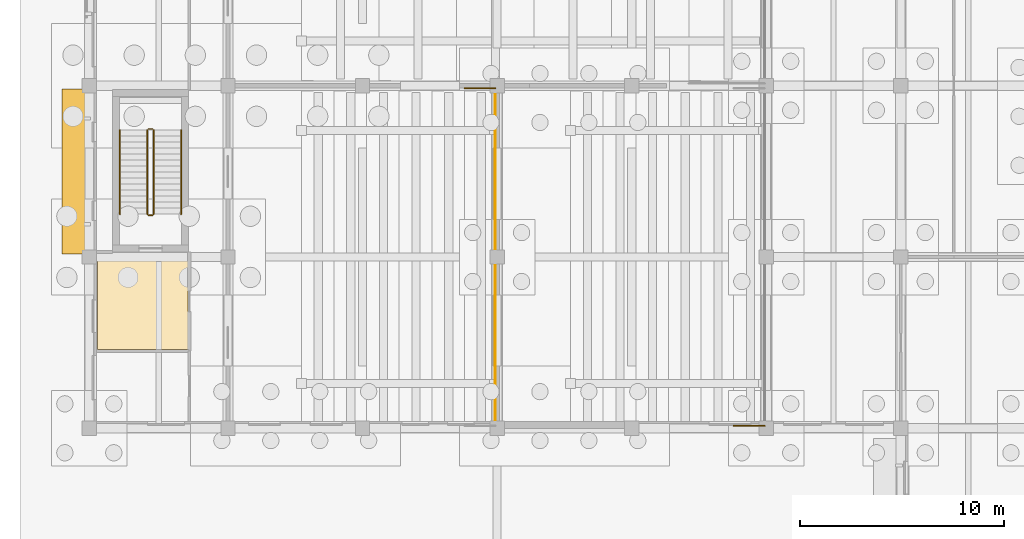
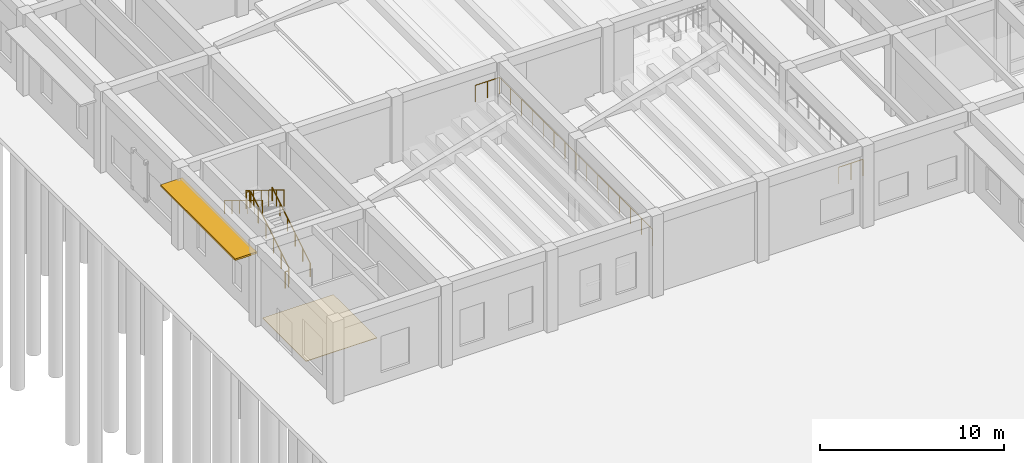
# One storey, part 75 of 82: 9 railings, 1 covering, 1 shading device.
"""IFC4 building model written with IfcOpenShell, lengths in metres."""

from ifc_helpers import new_model, si_unit, direction, frame, origin, origin_2d, place, context, subcontext, project, spatial, polyline, rectangle, circle, outline, extrude, material, layer, layer_set, type_object, element, save


model = new_model("IFC4")

# Units and contexts
model_context = context("Model", 3, precision=1e-05, world=origin(), true_north=direction((0.0, 1.0)))
body_context = subcontext(model_context, "Body", "Model", "MODEL_VIEW")
ifc_project = project(units=[si_unit("LENGTHUNIT", "METRE"), si_unit("AREAUNIT", "SQUARE_METRE"), si_unit("VOLUMEUNIT", "CUBIC_METRE"), si_unit("PLANEANGLEUNIT", "RADIAN"), si_unit("MASSUNIT", "GRAM", prefix="KILO")], contexts=[model_context])

# Site, building, storey
site_placement = place(None, origin())
site = spatial("IfcSite", under=ifc_project, at=site_placement, CompositionType="ELEMENT")
building_placement = place(site_placement, origin())
building = spatial("IfcBuilding", under=site, at=building_placement, Name="Kolvaren Faculty of Natural Sciences", CompositionType="ELEMENT")
storey_placement = place(building_placement, origin())
storey = spatial("IfcBuildingStorey", under=building, at=storey_placement, Name="L00", CompositionType="ELEMENT", Elevation=0.0)

# Shading device
ifc_material_1 = material(Name="Precast concrete C35/45", Category="concrete")
ifc_layer_1 = layer(ifc_material_1, 0.1201171875)
ifc_layer_set_1 = layer_set([ifc_layer_1], Name="Precast concrete C35/45")
shading_device_type = type_object("IfcShadingDeviceType", Name="ChhajjaSolarHood_1350", PredefinedType="AWNING", material=ifc_layer_set_1)
shading_device_placement = place(storey_placement, frame((-0.655029296875, 88.39990234375, 4.44482421875), z_axis=(0.0, 0.0, 1.0), x_axis=(0.0, 1.0, 0.0)))
element("IfcShadingDevice", 1, at=shading_device_placement, inside=storey, type_object=shading_device_type, Name="L00 precast sandstone chhajja solar hood 9", PredefinedType="AWNING", context=body_context, shape_type="SweptSolid", body=[
    extrude(rectangle(XDim=8.10009765625, YDim=1.35009765625, at=origin_2d()), origin(), (0.0, 0.0, 1.0), 0.1201171875),
])

# Railings
ifc_material_2 = material(Name="Structural steel EN 10210-1 S355J2H", Category="steel")
ifc_layer_2 = layer(ifc_material_2, 0.048095703125)
ifc_layer_set_2 = layer_set([ifc_layer_2], Name="Structural steel EN 10210-1 S355J2H")
railing_type_1 = type_object("IfcRailingType", Name="GuardRailing_GDVOID1", PredefinedType="BALUSTRADE", material=ifc_layer_set_2)
railing_1_placement = place(storey_placement, frame((19.919921875, 75.919921875, 3.1201171875)))
element("IfcRailing", 2, at=railing_1_placement, inside=storey, type_object=railing_type_1, Name="L00 LT-2 top tier rear balustrade 48", PredefinedType="BALUSTRADE", context=body_context, shape_type="SweptSolid", body=[
    extrude(circle(Radius=0.02392578125, at=origin_2d()), frame((0.0, 0.0, 1.09619140625), z_axis=(0.0, 1.0, 0.0), x_axis=(-1.0, 0.0, 0.0)), (0.0, 0.0, 1.0), 16.56005859375),
    extrude(circle(Radius=0.02099609375, at=origin_2d()), origin(), (0.0, 0.0, 1.0), 1.072021484375),
    extrude(circle(Radius=0.02099609375, at=origin_2d()), frame((0.0, 1.182861328125, 0.0)), (0.0, 0.0, 1.0), 1.072021484375),
    extrude(circle(Radius=0.02099609375, at=origin_2d()), frame((0.0, 2.36572265625, 0.0)), (0.0, 0.0, 1.0), 1.072021484375),
    extrude(circle(Radius=0.02099609375, at=origin_2d()), frame((0.0, 3.548583984375, 0.0)), (0.0, 0.0, 1.0), 1.072021484375),
    extrude(circle(Radius=0.02099609375, at=origin_2d()), frame((0.0, 4.7314453125, 0.0)), (0.0, 0.0, 1.0), 1.072021484375),
    extrude(circle(Radius=0.02099609375, at=origin_2d()), frame((0.0, 5.914306640625, 0.0)), (0.0, 0.0, 1.0), 1.072021484375),
    extrude(circle(Radius=0.02099609375, at=origin_2d()), frame((0.0, 7.09716796875, 0.0)), (0.0, 0.0, 1.0), 1.072021484375),
    extrude(circle(Radius=0.02099609375, at=origin_2d()), frame((0.0, 8.280029296875, 0.0)), (0.0, 0.0, 1.0), 1.072021484375),
    extrude(circle(Radius=0.02099609375, at=origin_2d()), frame((0.0, 9.462890625, 0.0)), (0.0, 0.0, 1.0), 1.072021484375),
    extrude(circle(Radius=0.02099609375, at=origin_2d()), frame((0.0, 10.645751953125, 0.0)), (0.0, 0.0, 1.0), 1.072021484375),
    extrude(circle(Radius=0.02099609375, at=origin_2d()), frame((0.0, 11.82861328125, 0.0)), (0.0, 0.0, 1.0), 1.072021484375),
    extrude(circle(Radius=0.02099609375, at=origin_2d()), frame((0.0, 13.011474609375, 0.0)), (0.0, 0.0, 1.0), 1.072021484375),
    extrude(circle(Radius=0.02099609375, at=origin_2d()), frame((0.0, 14.1943359375, 0.0)), (0.0, 0.0, 1.0), 1.072021484375),
    extrude(circle(Radius=0.02099609375, at=origin_2d()), frame((0.0, 15.377197265625, 0.0)), (0.0, 0.0, 1.0), 1.072021484375),
    extrude(circle(Radius=0.02099609375, at=origin_2d()), frame((0.0, 16.56005859375, 0.0)), (0.0, 0.0, 1.0), 1.072021484375),
])
for number, where, name in (
    (3, (18.39990234375, 92.47998046875, 3.1201171875), "L00 LT-2 top tier rear balustrade 50"),
    (4, (31.60009765625, 75.919921875, 3.1201171875), "L00 LT-3 top tier rear balustrade 55"),
):
    element("IfcRailing", number, at=place(storey_placement, frame(where)), inside=storey, type_object=railing_type_1, Name=name, PredefinedType="BALUSTRADE", context=body_context, shape_type="SweptSolid", body=[
        extrude(circle(Radius=0.02392578125, at=origin_2d()), frame((0.0, 0.0, 1.09619140625), z_axis=(1.0, 0.0, 0.0), x_axis=(0.0, 1.0, 0.0)), (0.0, 0.0, 1.0), 1.52001953125),
        extrude(circle(Radius=0.02099609375, at=origin_2d()), origin(), (0.0, 0.0, 1.0), 1.072021484375),
        extrude(circle(Radius=0.02099609375, at=origin_2d()), frame((0.760009765625, 0.0, 0.0)), (0.0, 0.0, 1.0), 1.072021484375),
        extrude(circle(Radius=0.02099609375, at=origin_2d()), frame((1.52001953125, 0.0, 0.0)), (0.0, 0.0, 1.0), 1.072021484375),
    ])
ifc_layer_3 = layer(ifc_material_2, 0.048095703125)
ifc_layer_set_3 = layer_set([ifc_layer_3], Name="Structural steel EN 10210-1 S355J2H")
railing_type_2 = type_object("IfcRailingType", Name="StairPitchHandrail_920", PredefinedType="HANDRAIL", material=ifc_layer_set_3)
railing_2_placement = place(storey_placement, frame((4.5, 86.300048828125, 0.179931640625)))
element("IfcRailing", 5, at=railing_2_placement, inside=storey, type_object=railing_type_2, Name="L00 ST-5 stair handrail 1", PredefinedType="HANDRAIL", context=body_context, shape_type="SweptSolid", body=[
    extrude(circle(Radius=0.02392578125, at=origin_2d()), frame((0.0, 0.0, 0.8759765625), z_axis=(0.0, 0.853630913754, 0.520878357281), x_axis=(-1.0, 0.0, 0.0)), (0.0, 0.0, 1.0), 4.838134765625),
    extrude(circle(Radius=0.02099609375, at=origin_2d()), origin(), (0.0, 0.0, 1.0), 0.851806640625),
    extrude(circle(Radius=0.02099609375, at=origin_2d()), frame((0.0, 0.825927734375, 0.50390625)), (0.0, 0.0, 1.0), 0.851806640625),
    extrude(circle(Radius=0.02099609375, at=origin_2d()), frame((0.0, 1.65185546875, 1.008056640625)), (0.0, 0.0, 1.0), 0.851806640625),
    extrude(circle(Radius=0.02099609375, at=origin_2d()), frame((0.0, 2.47802734375, 1.511962890625)), (0.0, 0.0, 1.0), 0.851806640625),
    extrude(circle(Radius=0.02099609375, at=origin_2d()), frame((0.0, 3.303955078125, 2.01611328125)), (0.0, 0.0, 1.0), 0.851806640625),
    extrude(circle(Radius=0.02099609375, at=origin_2d()), frame((0.0, 4.1298828125, 2.52001953125)), (0.0, 0.0, 1.0), 0.851806640625),
])
railing_3_placement = place(storey_placement, frame((1.5, 90.429931640625, 2.8798828125)))
element("IfcRailing", 6, at=railing_3_placement, inside=storey, type_object=railing_type_2, Name="L00 ST-5 stair handrail 2", PredefinedType="HANDRAIL", context=body_context, shape_type="SweptSolid", body=[
    extrude(circle(Radius=0.02392578125, at=origin_2d()), frame((0.0, 0.0, 0.8759765625), z_axis=(0.0, -0.853630913754, 0.520878357281), x_axis=(1.0, 0.0, 0.0)), (0.0, 0.0, 1.0), 4.838134765625),
    extrude(circle(Radius=0.02099609375, at=origin_2d()), origin(), (0.0, 0.0, 1.0), 0.851806640625),
    extrude(circle(Radius=0.02099609375, at=origin_2d()), frame((0.0, -0.825927734375, 0.50390625)), (0.0, 0.0, 1.0), 0.851806640625),
    extrude(circle(Radius=0.02099609375, at=origin_2d()), frame((0.0, -1.65185546875, 1.008056640625)), (0.0, 0.0, 1.0), 0.851806640625),
    extrude(circle(Radius=0.02099609375, at=origin_2d()), frame((0.0, -2.47802734375, 1.511962890625)), (0.0, 0.0, 1.0), 0.851806640625),
    extrude(circle(Radius=0.02099609375, at=origin_2d()), frame((0.0, -3.303955078125, 2.01611328125)), (0.0, 0.0, 1.0), 0.851806640625),
    extrude(circle(Radius=0.02099609375, at=origin_2d()), frame((0.0, -4.1298828125, 2.52001953125)), (0.0, 0.0, 1.0), 0.851806640625),
])
ifc_layer_4 = layer(ifc_material_2, 0.048095703125)
ifc_layer_set_4 = layer_set([ifc_layer_4], Name="Structural steel EN 10210-1 S355J2H")
railing_type_3 = type_object("IfcRailingType", Name="StairWellGuard_1100", PredefinedType="BALUSTRADE", material=ifc_layer_set_4)
railing_4_placement = place(storey_placement, frame((3.14990234375, 86.300048828125, 0.179931640625)))
element("IfcRailing", 7, at=railing_4_placement, inside=storey, type_object=railing_type_3, Name="L00 ST-5 stair guard 1", PredefinedType="BALUSTRADE", context=body_context, shape_type="SweptSolid", body=[
    extrude(circle(Radius=0.02392578125, at=origin_2d()), frame((0.0, 0.0, 1.076171875), z_axis=(0.0, 0.853630913754, 0.520878357281), x_axis=(-1.0, 0.0, 0.0)), (0.0, 0.0, 1.0), 4.838134765625),
    extrude(circle(Radius=0.02099609375, at=origin_2d()), origin(), (0.0, 0.0, 1.0), 1.052001953125),
    extrude(circle(Radius=0.02099609375, at=origin_2d()), frame((0.0, 0.825927734375, 0.50390625)), (0.0, 0.0, 1.0), 1.052001953125),
    extrude(circle(Radius=0.02099609375, at=origin_2d()), frame((0.0, 1.65185546875, 1.008056640625)), (0.0, 0.0, 1.0), 1.052001953125),
    extrude(circle(Radius=0.02099609375, at=origin_2d()), frame((0.0, 2.47802734375, 1.511962890625)), (0.0, 0.0, 1.0), 1.052001953125),
    extrude(circle(Radius=0.02099609375, at=origin_2d()), frame((0.0, 3.303955078125, 2.01611328125)), (0.0, 0.0, 1.0), 1.052001953125),
    extrude(circle(Radius=0.02099609375, at=origin_2d()), frame((0.0, 4.1298828125, 2.52001953125)), (0.0, 0.0, 1.0), 1.052001953125),
])
railing_5_placement = place(storey_placement, frame((3.10009765625, 90.47998046875, 2.699951171875)))
element("IfcRailing", 8, at=railing_5_placement, inside=storey, type_object=railing_type_3, Name="L00 ST-5 stair guard 2", PredefinedType="BALUSTRADE", context=body_context, shape_type="SweptSolid", body=[
    extrude(circle(Radius=0.02392578125, at=origin_2d()), frame((0.0, 0.0, 1.076171875), z_axis=(-1.0, 0.0, 0.0), x_axis=(0.0, -1.0, 0.0)), (0.0, 0.0, 1.0), 0.2001953125),
    extrude(circle(Radius=0.02099609375, at=origin_2d()), origin(), (0.0, 0.0, 1.0), 1.052001953125),
    extrude(circle(Radius=0.02099609375, at=origin_2d()), frame((-0.2001953125, 0.0, 0.0)), (0.0, 0.0, 1.0), 1.052001953125),
])
railing_6_placement = place(storey_placement, frame((2.85009765625, 90.429931640625, 2.8798828125)))
element("IfcRailing", 9, at=railing_6_placement, inside=storey, type_object=railing_type_3, Name="L00 ST-5 stair guard 3", PredefinedType="BALUSTRADE", context=body_context, shape_type="SweptSolid", body=[
    extrude(circle(Radius=0.02392578125, at=origin_2d()), frame((0.0, 0.0, 1.076171875), z_axis=(0.0, -0.853630913754, 0.520878357281), x_axis=(1.0, 0.0, 0.0)), (0.0, 0.0, 1.0), 4.838134765625),
    extrude(circle(Radius=0.02099609375, at=origin_2d()), origin(), (0.0, 0.0, 1.0), 1.052001953125),
    extrude(circle(Radius=0.02099609375, at=origin_2d()), frame((0.0, -0.825927734375, 0.50390625)), (0.0, 0.0, 1.0), 1.052001953125),
    extrude(circle(Radius=0.02099609375, at=origin_2d()), frame((0.0, -1.65185546875, 1.008056640625)), (0.0, 0.0, 1.0), 1.052001953125),
    extrude(circle(Radius=0.02099609375, at=origin_2d()), frame((0.0, -2.47802734375, 1.511962890625)), (0.0, 0.0, 1.0), 1.052001953125),
    extrude(circle(Radius=0.02099609375, at=origin_2d()), frame((0.0, -3.303955078125, 2.01611328125)), (0.0, 0.0, 1.0), 1.052001953125),
    extrude(circle(Radius=0.02099609375, at=origin_2d()), frame((0.0, -4.1298828125, 2.52001953125)), (0.0, 0.0, 1.0), 1.052001953125),
])
railing_7_placement = place(storey_placement, frame((3.10009765625, 86.25, 0.0)))
element("IfcRailing", 10, at=railing_7_placement, inside=storey, type_object=railing_type_3, Name="L00 ST-5 stair guard 4", PredefinedType="BALUSTRADE", context=body_context, shape_type="SweptSolid", body=[
    extrude(circle(Radius=0.02392578125, at=origin_2d()), frame((0.0, 0.0, 1.076171875), z_axis=(-1.0, 0.0, 0.0), x_axis=(0.0, -1.0, 0.0)), (0.0, 0.0, 1.0), 0.2001953125),
    extrude(circle(Radius=0.02099609375, at=origin_2d()), origin(), (0.0, 0.0, 1.0), 1.052001953125),
    extrude(circle(Radius=0.02099609375, at=origin_2d()), frame((-0.2001953125, 0.0, 0.0)), (0.0, 0.0, 1.0), 1.052001953125),
])

# Covering
ifc_material_3 = material(Name="Polished Uruguayan grey granite terrazzo flooring", Category="masonry")
ifc_layer_5 = layer(ifc_material_3, 0.030029296875)
ifc_layer_set_5 = layer_set([ifc_layer_5], Name="Polished Uruguayan grey granite terrazzo flooring")
covering_type = type_object("IfcCoveringType", Name="TerrazzoFloorFinish_30", PredefinedType="FLOORING", material=ifc_layer_set_5)
covering_placement = place(storey_placement, origin())
element("IfcCovering", 11, at=covering_placement, inside=storey, type_object=covering_type, Name="L00 L00 Protected Stair Lobby ST-5 floor finish", PredefinedType="FLOORING", context=body_context, shape_type="SweptSolid", body=[
    extrude(outline(polyline([(0.39990234375, 79.659912109375), (0.39990234375, 84.389892578125), (4.840087890625, 84.389892578125), (4.840087890625, 79.659912109375), (0.39990234375, 79.659912109375)])), origin(), (0.0, 0.0, 1.0), 0.030029296875),
])

save(model, "model.ifc")
